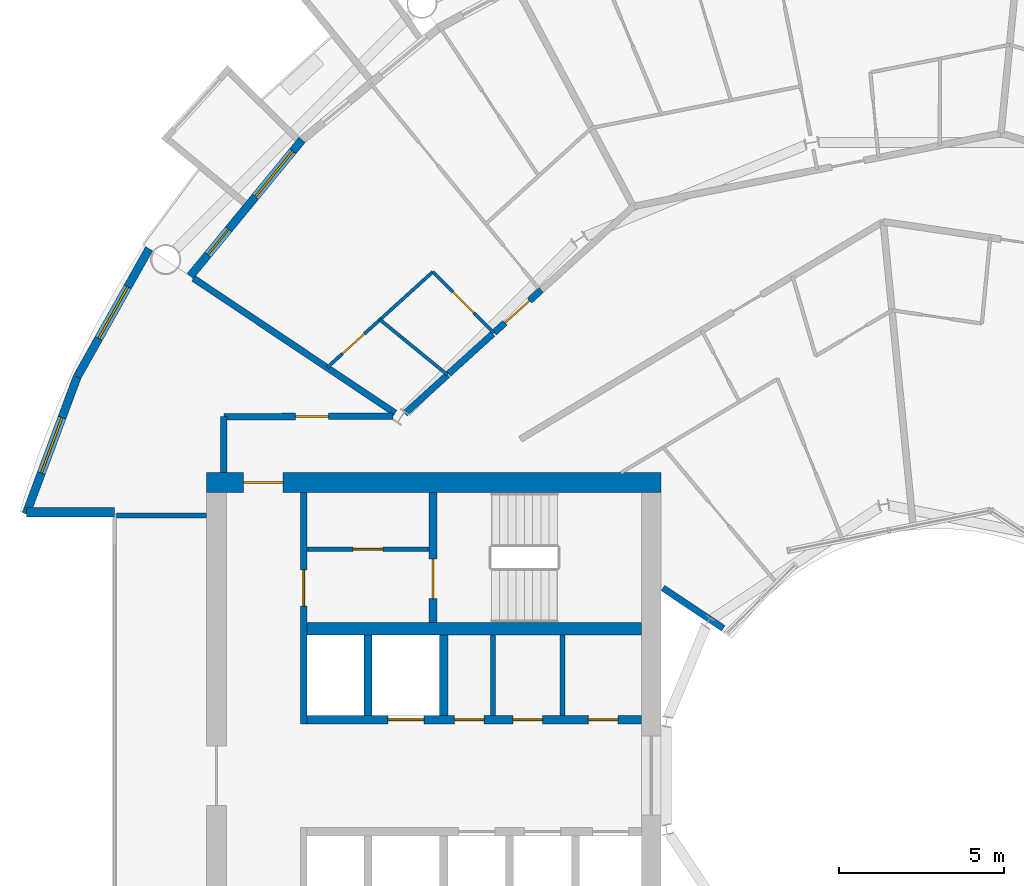
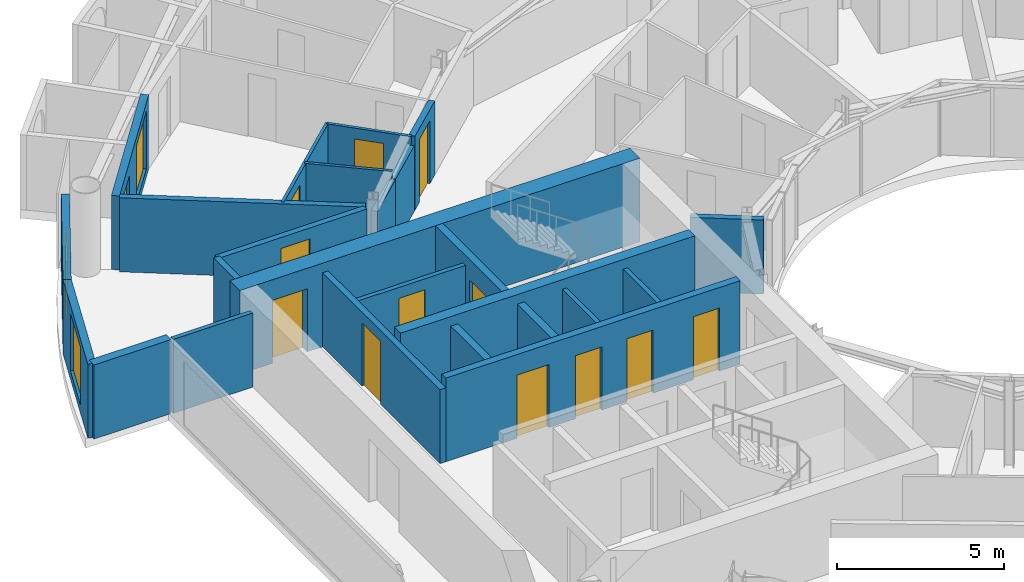
# One storey, part 19 of 28: 25 walls, 13 doors, 3 windows, 16 openings.
"""IFC4 building model written with IfcOpenShell, lengths in metres."""

from ifc_helpers import new_model, si_unit, direction, frame, frame_2d, origin, place, context, subcontext, project, spatial, rectangle, extrude, material, layer, layer_set, type_object, element, fill, save


model = new_model("IFC4")

# Units and contexts
model_context = context("Model", 3, precision=1e-05, world=origin(), true_north=direction((0.0, 1.0)))
body_context = subcontext(model_context, "Body", "Model", "MODEL_VIEW")
ifc_project = project(units=[si_unit("LENGTHUNIT", "METRE"), si_unit("AREAUNIT", "SQUARE_METRE"), si_unit("VOLUMEUNIT", "CUBIC_METRE"), si_unit("PLANEANGLEUNIT", "RADIAN"), si_unit("MASSUNIT", "GRAM", prefix="KILO")], contexts=[model_context])

# Site, building, storey
site_placement = place(None, origin())
site = spatial("IfcSite", under=ifc_project, at=site_placement, CompositionType="ELEMENT")
building_placement = place(site_placement, origin())
building = spatial("IfcBuilding", under=site, at=building_placement, Name="Maasbend Ring Residences", CompositionType="ELEMENT")
storey_placement = place(building_placement, frame((0.0, 0.0, 133.0)))
storey = spatial("IfcBuildingStorey", under=building, at=storey_placement, Name="L38", CompositionType="ELEMENT", Elevation=133.0)

# Wall, openings, doors
ifc_material_1 = material(Name="Concrete C60/75", Category="concrete")
ifc_layer_1 = layer(ifc_material_1, 0.25)
ifc_layer_set_1 = layer_set([ifc_layer_1], Name="Concrete C60/75")
wall_type_1 = type_object("IfcWallType", Name="CORE WALL 250 C60/75", PredefinedType="SHEAR", material=ifc_layer_set_1)
wall_1_placement = place(storey_placement, frame((-19.14990234375, 1.699951171875, 0.0), z_axis=(0.0, 0.0, 1.0), x_axis=(1.0, 0.0, 0.0)))
wall_1 = element("IfcWall", 1, at=wall_1_placement, inside=storey, type_object=wall_type_1, Name="L38 core W wall SPS", PredefinedType="SHEAR", context=body_context, shape_type="SweptSolid", body=[
    extrude(rectangle(XDim=10.14990234375, YDim=0.25, at=frame_2d((5.074951171875, 0.0))), origin(), (0.0, 0.0, 1.0), 3.050048828125),
])
opening_1_placement = place(wall_1_placement, frame((2.449951171875, 0.0, 0.0)))
opening_1 = element("IfcOpeningElement", 2, at=opening_1_placement, cuts=wall_1, Name="Opening LD-W3805", PredefinedType="OPENING", context=body_context, shape_type="SweptSolid", body=[
    extrude(rectangle(XDim=1.10009765625, YDim=2.300048828125, at=frame_2d((0.550048828125, 1.14990234375))), frame((0.0, 0.135009765625, 0.0), z_axis=(0.0, -1.0, 0.0), x_axis=(1.0, 0.0, 0.0)), (0.0, 0.0, 1.0), 0.27001953125),
])
opening_2_placement = place(wall_1_placement, frame((8.53759765625, 0.0, 0.0)))
opening_2 = element("IfcOpeningElement", 3, at=opening_2_placement, cuts=wall_1, Name="Opening D-W3806", PredefinedType="OPENING", context=body_context, shape_type="SweptSolid", body=[
    extrude(rectangle(XDim=0.89990234375, YDim=2.300048828125, at=frame_2d((0.449951171875, 1.14990234375))), frame((0.0, 0.135009765625, 0.0), z_axis=(0.0, -1.0, 0.0), x_axis=(1.0, 0.0, 0.0)), (0.0, 0.0, 1.0), 0.27001953125),
])
opening_3_placement = place(wall_1_placement, frame((6.25, 0.0, 0.0)))
opening_3 = element("IfcOpeningElement", 4, at=opening_3_placement, cuts=wall_1, Name="Opening D-W3807", PredefinedType="OPENING", context=body_context, shape_type="SweptSolid", body=[
    extrude(rectangle(XDim=0.89990234375, YDim=2.300048828125, at=frame_2d((0.449951171875, 1.14990234375))), frame((0.0, 0.135009765625, 0.0), z_axis=(0.0, -1.0, 0.0), x_axis=(1.0, 0.0, 0.0)), (0.0, 0.0, 1.0), 0.27001953125),
])
opening_4_placement = place(wall_1_placement, frame((4.47509765625, 0.0, 0.0)))
opening_4 = element("IfcOpeningElement", 5, at=opening_4_placement, cuts=wall_1, Name="Opening D-W3808", PredefinedType="OPENING", context=body_context, shape_type="SweptSolid", body=[
    extrude(rectangle(XDim=0.89990234375, YDim=2.300048828125, at=frame_2d((0.449951171875, 1.14990234375))), frame((0.0, 0.135009765625, 0.0), z_axis=(0.0, -1.0, 0.0), x_axis=(1.0, 0.0, 0.0)), (0.0, 0.0, 1.0), 0.27001953125),
])
ifc_material_2 = material(Name="Stainless steel 316", Category="steel")
door_type_1 = type_object("IfcDoorType", Name="LANDING DOOR 1100 X 2300 FD60", OperationType="DOUBLE_DOOR_SLIDING", PredefinedType="DOOR", material=ifc_material_2)
door_1_placement = place(opening_1_placement, origin())
door_1 = element("IfcDoor", 6, at=door_1_placement, inside=storey, type_object=door_type_1, Name="Landing door SV-W L38", OperationType="DOUBLE_DOOR_SLIDING", OverallHeight=2.300048828125, OverallWidth=1.10009765625, PredefinedType="DOOR", context=body_context, shape_type="SweptSolid", body=[
    extrude(rectangle(XDim=1.10009765625, YDim=2.300048828125, at=frame_2d((0.550048828125, 1.14990234375))), frame((0.0, 0.02490234375, 0.0), z_axis=(0.0, -1.0, 0.0), x_axis=(1.0, 0.0, 0.0)), (0.0, 0.0, 1.0), 0.050048828125),
])
fill(opening_1, door_1)
ifc_material_3 = material(Name="Steel, powder coated", Category="steel")
door_type_2 = type_object("IfcDoorType", Name="ROOM DOOR 900 X 2300 FD30S", OperationType="NOTDEFINED", PredefinedType="DOOR", material=ifc_material_3)
door_2_placement = place(opening_2_placement, origin())
door_2 = element("IfcDoor", 7, at=door_2_placement, inside=storey, type_object=door_type_2, Name="Room door L38", OperationType="SINGLE_SWING_LEFT", OverallHeight=2.300048828125, OverallWidth=0.89990234375, PredefinedType="DOOR", context=body_context, shape_type="SweptSolid", body=[
    extrude(rectangle(XDim=0.89990234375, YDim=2.300048828125, at=frame_2d((0.449951171875, 1.14990234375))), frame((0.0, 0.02490234375, 0.0), z_axis=(0.0, -1.0, 0.0), x_axis=(1.0, 0.0, 0.0)), (0.0, 0.0, 1.0), 0.050048828125),
])
fill(opening_2, door_2)
door_3_placement = place(opening_3_placement, origin())
door_3 = element("IfcDoor", 8, at=door_3_placement, inside=storey, type_object=door_type_2, Name="Room door L38", OperationType="SINGLE_SWING_LEFT", OverallHeight=2.300048828125, OverallWidth=0.89990234375, PredefinedType="DOOR", context=body_context, shape_type="SweptSolid", body=[
    extrude(rectangle(XDim=0.89990234375, YDim=2.300048828125, at=frame_2d((0.449951171875, 1.14990234375))), frame((0.0, 0.02490234375, 0.0), z_axis=(0.0, -1.0, 0.0), x_axis=(1.0, 0.0, 0.0)), (0.0, 0.0, 1.0), 0.050048828125),
])
fill(opening_3, door_3)
door_4_placement = place(opening_4_placement, origin())
door_4 = element("IfcDoor", 9, at=door_4_placement, inside=storey, type_object=door_type_2, Name="Room door L38", OperationType="SINGLE_SWING_RIGHT", OverallHeight=2.300048828125, OverallWidth=0.89990234375, PredefinedType="DOOR", context=body_context, shape_type="SweptSolid", body=[
    extrude(rectangle(XDim=0.89990234375, YDim=2.300048828125, at=frame_2d((0.449951171875, 1.14990234375))), frame((0.0, 0.02490234375, 0.0), z_axis=(0.0, -1.0, 0.0), x_axis=(1.0, 0.0, 0.0)), (0.0, 0.0, 1.0), 0.050048828125),
])
fill(opening_4, door_4)

# Wall, opening, door
wall_2_placement = place(storey_placement, frame((-15.324951171875, 8.60009765625, 0.0), z_axis=(0.0, 0.0, 1.0), x_axis=(0.0, -1.0, 0.0)))
wall_2 = element("IfcWall", 10, at=wall_2_placement, inside=storey, type_object=wall_type_1, Name="L38 core W wall STES", PredefinedType="SHEAR", context=body_context, shape_type="SweptSolid", body=[
    extrude(rectangle(XDim=3.9501953125, YDim=0.25, at=frame_2d((1.97509765625, 0.0))), origin(), (0.0, 0.0, 1.0), 3.050048828125),
])
opening_5_placement = place(wall_2_placement, frame((2.02490234375, 0.0, 0.0)))
opening_5 = element("IfcOpeningElement", 11, at=opening_5_placement, cuts=wall_2, Name="Opening D-W3811", PredefinedType="OPENING", context=body_context, shape_type="SweptSolid", body=[
    extrude(rectangle(XDim=1.199951171875, YDim=2.300048828125, at=frame_2d((0.60009765625, 1.14990234375))), frame((0.0, 0.135009765625, 0.0), z_axis=(0.0, -1.0, 0.0), x_axis=(1.0, 0.0, 0.0)), (0.0, 0.0, 1.0), 0.27001953125),
])
ifc_material_4 = material(Name="Steel, powder coated", Category="steel")
door_type_3 = type_object("IfcDoorType", Name="STAIR DOOR 1200 X 2300 FD60", OperationType="NOTDEFINED", PredefinedType="DOOR", material=ifc_material_4)
door_5_placement = place(opening_5_placement, origin())
door_5 = element("IfcDoor", 12, at=door_5_placement, inside=storey, type_object=door_type_3, Name="Stair door ST-W L38", OperationType="SINGLE_SWING_LEFT", OverallHeight=2.300048828125, OverallWidth=1.199951171875, PredefinedType="DOOR", context=body_context, shape_type="SweptSolid", body=[
    extrude(rectangle(XDim=1.199951171875, YDim=2.300048828125, at=frame_2d((0.60009765625, 1.14990234375))), frame((0.0, 0.02490234375, 0.0), z_axis=(0.0, -1.0, 0.0), x_axis=(1.0, 0.0, 0.0)), (0.0, 0.0, 1.0), 0.050048828125),
])
fill(opening_5, door_5)

# Wall
ifc_material_5 = material(Name="Concrete C60/75", Category="concrete")
ifc_layer_2 = layer(ifc_material_5, 0.375)
ifc_layer_set_2 = layer_set([ifc_layer_2], Name="Concrete C60/75")
wall_type_2 = type_object("IfcWallType", Name="CORE WALL 375 C60/75", PredefinedType="SHEAR", material=ifc_layer_set_2)
wall_3_placement = place(storey_placement, frame((-9.0, 4.46240234375, 0.0), z_axis=(0.0, 0.0, 1.0), x_axis=(-1.0, 0.0, 0.0)))
element("IfcWall", 13, at=wall_3_placement, inside=storey, type_object=wall_type_2, Name="L38 core W wall BS", PredefinedType="SHEAR", context=body_context, shape_type="SweptSolid", body=[
    extrude(rectangle(XDim=10.14990234375, YDim=0.375, at=frame_2d((5.074951171875, 0.0))), origin(), (0.0, 0.0, 1.0), 3.050048828125),
])

# Wall, opening, door
ifc_material_6 = material(Name="Concrete C60/75", Category="concrete")
ifc_layer_3 = layer(ifc_material_6, 0.60009765625)
ifc_layer_set_3 = layer_set([ifc_layer_3], Name="Concrete C60/75")
wall_type_3 = type_object("IfcWallType", Name="CORE WALL 600 C60/75", PredefinedType="SHEAR", material=ifc_layer_set_3)
wall_4_placement = place(storey_placement, frame((-8.39990234375, 8.89990234375, 0.0), z_axis=(0.0, 0.0, 1.0), x_axis=(-1.0, 0.0, 0.0)))
wall_4 = element("IfcWall", 14, at=wall_4_placement, inside=storey, type_object=wall_type_3, Name="L38 core W wall PS", PredefinedType="SHEAR", context=body_context, shape_type="SweptSolid", body=[
    extrude(rectangle(XDim=13.800048828125, YDim=0.60009765625, at=frame_2d((6.89990234375, 0.0))), origin(), (0.0, 0.0, 1.0), 3.050048828125),
])
opening_6_placement = place(wall_4_placement, frame((11.47509765625, 0.0, 0.0)))
opening_6 = element("IfcOpeningElement", 15, at=opening_6_placement, cuts=wall_4, Name="Opening D-W3815", PredefinedType="OPENING", context=body_context, shape_type="SweptSolid", body=[
    extrude(rectangle(XDim=1.199951171875, YDim=2.300048828125, at=frame_2d((0.60009765625, 1.14990234375))), frame((0.0, 0.31005859375, 0.0), z_axis=(0.0, -1.0, 0.0), x_axis=(1.0, 0.0, 0.0)), (0.0, 0.0, 1.0), 0.6201171875),
])
ifc_material_7 = material(Name="Steel, powder coated", Category="steel")
door_type_4 = type_object("IfcDoorType", Name="CORRIDOR DOOR 1200 X 2300 FD30S", OperationType="NOTDEFINED", PredefinedType="DOOR", material=ifc_material_7)
door_6_placement = place(opening_6_placement, origin())
door_6 = element("IfcDoor", 16, at=door_6_placement, inside=storey, type_object=door_type_4, Name="Corridor door L38", OperationType="SINGLE_SWING_LEFT", OverallHeight=2.300048828125, OverallWidth=1.199951171875, PredefinedType="DOOR", context=body_context, shape_type="SweptSolid", body=[
    extrude(rectangle(XDim=1.199951171875, YDim=2.300048828125, at=frame_2d((0.60009765625, 1.14990234375))), frame((0.0, 0.02490234375, 0.0), z_axis=(0.0, -1.0, 0.0), x_axis=(1.0, 0.0, 0.0)), (0.0, 0.0, 1.0), 0.050048828125),
])
fill(opening_6, door_6)

ifc_material_8 = material(Name="Concrete C30/37", Category="concrete")
ifc_layer_4 = layer(ifc_material_8, 0.199951171875)
ifc_layer_set_4 = layer_set([ifc_layer_4], Name="Concrete C30/37")
wall_type_4 = type_object("IfcWallType", Name="CORRIDOR WALL 200 CONCRETE", PredefinedType="PARTITIONING", material=ifc_layer_set_4)
wall_5_placement = place(storey_placement, frame((-21.675048828125, 10.89990234375, 0.0), z_axis=(0.0, 0.0, 1.0), x_axis=(0.99999670426, 0.002567385634, 0.0)))
wall_5 = element("IfcWall", 17, at=wall_5_placement, inside=storey, type_object=wall_type_4, Name="U-L38-w098", PredefinedType="PARTITIONING", context=body_context, shape_type="SweptSolid", body=[
    extrude(rectangle(XDim=5.135009765625, YDim=0.199951171875, at=frame_2d((2.5673828125, 0.0))), origin(), (0.0, 0.0, 1.0), 2.699951171875),
])
opening_7_placement = place(wall_5_placement, frame((2.1708984375, 0.0, 0.0)))
opening_7 = element("IfcOpeningElement", 18, at=opening_7_placement, cuts=wall_5, Name="Opening D-3872", PredefinedType="OPENING", context=body_context, shape_type="SweptSolid", body=[
    extrude(rectangle(XDim=1.0, YDim=2.300048828125, at=frame_2d((0.5, 1.14990234375))), frame((0.0, 0.10986328125, 0.0), z_axis=(0.0, -1.0, 0.0), x_axis=(1.0, 0.0, 0.0)), (0.0, 0.0, 1.0), 0.219970703125),
])
ifc_material_9 = material(Name="Timber, painted", Category="wood")
door_type_5 = type_object("IfcDoorType", Name="ROOM DOOR 1000 X 2300", OperationType="NOTDEFINED", PredefinedType="DOOR", material=ifc_material_9)
door_7_placement = place(opening_7_placement, origin())
door_7 = element("IfcDoor", 19, at=door_7_placement, inside=storey, type_object=door_type_5, Name="D-3872", OperationType="SINGLE_SWING_RIGHT", OverallHeight=2.300048828125, OverallWidth=1.0, PredefinedType="DOOR", context=body_context, shape_type="SweptSolid", body=[
    extrude(rectangle(XDim=1.0, YDim=2.300048828125, at=frame_2d((0.5, 1.14990234375))), frame((0.0, 0.02490234375, 0.0), z_axis=(0.0, -1.0, 0.0), x_axis=(1.0, 0.0, 0.0)), (0.0, 0.0, 1.0), 0.050048828125),
])
fill(opening_7, door_7)

# Walls
wall_6_placement = place(storey_placement, frame((-16.178955078125, 10.9951171875, 0.0), z_axis=(0.0, 0.0, 1.0), x_axis=(0.74092608219, 0.671586584687, 0.0)))
element("IfcWall", 20, at=wall_6_placement, inside=storey, type_object=wall_type_4, Name="U-L38-w110", PredefinedType="PARTITIONING", context=body_context, shape_type="SweptSolid", body=[
    extrude(rectangle(XDim=1.746337890625, YDim=0.199951171875, at=frame_2d((0.873046875, 0.0))), origin(), (0.0, 0.0, 1.0), 2.389892578125),
])
wall_7_placement = place(storey_placement, frame((-14.85498046875, 12.200927734375, 0.0), z_axis=(0.0, 0.0, 1.0), x_axis=(0.742026993487, 0.670370003011, 0.0)))
element("IfcWall", 21, at=wall_7_placement, inside=storey, type_object=wall_type_4, Name="U-L38-w111", PredefinedType="PARTITIONING", context=body_context, shape_type="SweptSolid", body=[
    extrude(rectangle(XDim=1.8125, YDim=0.199951171875, at=frame_2d((0.90625, 0.0))), origin(), (0.0, 0.0, 1.0), 2.389892578125),
])

# Wall, opening, door
wall_8_placement = place(storey_placement, frame((-13.47412109375, 13.447998046875, 0.0), z_axis=(0.0, 0.0, 1.0), x_axis=(0.742096578776, 0.670292971595, 0.0)))
wall_8 = element("IfcWall", 22, at=wall_8_placement, inside=storey, type_object=wall_type_4, Name="U-L38-w112", PredefinedType="PARTITIONING", context=body_context, shape_type="SweptSolid", body=[
    extrude(rectangle(XDim=1.93798828125, YDim=0.199951171875, at=frame_2d((0.968994140625, 0.0))), origin(), (0.0, 0.0, 1.0), 2.699951171875),
])
opening_8_placement = place(wall_8_placement, frame((0.452880859375, 0.0, 0.0)))
opening_8 = element("IfcOpeningElement", 23, at=opening_8_placement, cuts=wall_8, Name="Opening D-3818", PredefinedType="OPENING", context=body_context, shape_type="SweptSolid", body=[
    extrude(rectangle(XDim=1.0, YDim=2.300048828125, at=frame_2d((0.5, 1.14990234375))), frame((0.0, 0.10986328125, 0.0), z_axis=(0.0, -1.0, 0.0), x_axis=(1.0, 0.0, 0.0)), (0.0, 0.0, 1.0), 0.219970703125),
])
ifc_material_10 = material(Name="Timber, fire-rated, painted", Category="wood")
door_type_6 = type_object("IfcDoorType", Name="FLAT ENTRANCE DOOR 1000 X 2300 FIRE-RATED", OperationType="NOTDEFINED", PredefinedType="DOOR", material=ifc_material_10)
door_8_placement = place(opening_8_placement, origin())
door_8 = element("IfcDoor", 24, at=door_8_placement, inside=storey, type_object=door_type_6, Name="D-3818", OperationType="SINGLE_SWING_LEFT", OverallHeight=2.300048828125, OverallWidth=1.0, PredefinedType="DOOR", context=body_context, shape_type="SweptSolid", body=[
    extrude(rectangle(XDim=1.0, YDim=2.300048828125, at=frame_2d((0.5, 1.14990234375))), frame((0.0, 0.02490234375, 0.0), z_axis=(0.0, -1.0, 0.0), x_axis=(1.0, 0.0, 0.0)), (0.0, 0.0, 1.0), 0.050048828125),
])
fill(opening_8, door_8)

# Wall
wall_9_placement = place(storey_placement, frame((-21.675048828125, 9.199951171875, 0.0), z_axis=(0.0, 0.0, 1.0), x_axis=(0.0, 1.0, 0.0)))
element("IfcWall", 25, at=wall_9_placement, inside=storey, type_object=wall_type_4, Name="U-L38-w124", PredefinedType="PARTITIONING", context=body_context, shape_type="SweptSolid", body=[
    extrude(rectangle(XDim=1.699951171875, YDim=0.199951171875, at=frame_2d((0.85009765625, 0.0))), origin(), (0.0, 0.0, 1.0), 2.699951171875),
])

# Wall, openings, door, window
ifc_material_11 = material(Name="Aluminium clad insulated panel", Category="aluminium")
ifc_layer_5 = layer(ifc_material_11, 0.25)
ifc_layer_set_5 = layer_set([ifc_layer_5], Name="EW-GL")
wall_type_5 = type_object("IfcWallType", Name="EW-GL", PredefinedType="SOLIDWALL", material=ifc_layer_set_5)
wall_10_placement = place(storey_placement, frame((-19.303955078125, 19.303955078125, 0.0), z_axis=(0.0, 0.0, 1.0), x_axis=(-0.634382322723, -0.773019449054, 0.0)))
wall_10 = element("IfcWall", 26, at=wall_10_placement, inside=storey, type_object=wall_type_5, Name="External wall N10", PredefinedType="SOLIDWALL", context=body_context, shape_type="SweptSolid", body=[
    extrude(rectangle(XDim=5.351806640625, YDim=0.25, at=frame_2d((2.67578125, 0.0))), origin(), (0.0, 0.0, 1.0), 2.699951171875),
])
opening_9_placement = place(wall_10_placement, frame((0.441162109375, 0.0, 0.300048828125)))
opening_9 = element("IfcOpeningElement", 27, at=opening_9_placement, cuts=wall_10, Name="Opening W-BX", PredefinedType="OPENING", context=body_context, shape_type="SweptSolid", body=[
    extrude(rectangle(XDim=1.800048828125, YDim=2.10009765625, at=frame_2d((0.89990234375, 1.050048828125))), frame((0.0, 0.135009765625, 0.0), z_axis=(0.0, -1.0, 0.0), x_axis=(1.0, 0.0, 0.0)), (0.0, 0.0, 1.0), 0.27001953125),
])
opening_10_placement = place(wall_10_placement, frame((3.510498046875, 0.0, 0.0)))
opening_10 = element("IfcOpeningElement", 28, at=opening_10_placement, cuts=wall_10, Name="Opening D-LG", PredefinedType="OPENING", context=body_context, shape_type="SweptSolid", body=[
    extrude(rectangle(XDim=1.0, YDim=2.199951171875, at=frame_2d((0.5, 1.10009765625))), frame((0.0, 0.135009765625, 0.0), z_axis=(0.0, -1.0, 0.0), x_axis=(1.0, 0.0, 0.0)), (0.0, 0.0, 1.0), 0.27001953125),
])
ifc_material_12 = material(Name="Aluminium and clear glass", Category="aluminium")
door_type_7 = type_object("IfcDoorType", Name="D-LG", OperationType="SINGLE_SWING_LEFT", PredefinedType="DOOR", material=ifc_material_12)
door_9_placement = place(opening_10_placement, origin())
door_9 = element("IfcDoor", 29, at=door_9_placement, inside=storey, type_object=door_type_7, Name="Loggia door N20", OperationType="SINGLE_SWING_LEFT", OverallHeight=2.199951171875, OverallWidth=1.0, PredefinedType="DOOR", context=body_context, shape_type="SweptSolid", body=[
    extrude(rectangle(XDim=1.0, YDim=2.199951171875, at=frame_2d((0.5, 1.10009765625))), frame((0.0, 0.02490234375, 0.0), z_axis=(0.0, -1.0, 0.0), x_axis=(1.0, 0.0, 0.0)), (0.0, 0.0, 1.0), 0.050048828125),
])
fill(opening_10, door_9)
ifc_material_13 = material(Name="Aluminium and clear glass", Category="aluminium")
window_type = type_object("IfcWindowType", Name="W-BX", PartitioningType="DOUBLE_PANEL_VERTICAL", PredefinedType="WINDOW", material=ifc_material_13)
window_1_placement = place(opening_9_placement, origin())
window_1 = element("IfcWindow", 30, at=window_1_placement, inside=storey, type_object=window_type, Name="Window N19 room to box", OverallHeight=2.10009765625, OverallWidth=1.800048828125, PartitioningType="SINGLE_PANEL", PredefinedType="WINDOW", context=body_context, shape_type="SweptSolid", body=[
    extrude(rectangle(XDim=1.800048828125, YDim=2.10009765625, at=frame_2d((0.89990234375, 1.050048828125))), frame((0.0, 0.030029296875, 0.0), z_axis=(0.0, -1.0, 0.0), x_axis=(1.0, 0.0, 0.0)), (0.0, 0.0, 1.0), 0.06005859375),
])
fill(opening_9, window_1)

# Wall, opening, window
ifc_material_14 = material(Name="Aluminium clad insulated panel", Category="aluminium")
ifc_layer_6 = layer(ifc_material_14, 0.25)
ifc_layer_set_6 = layer_set([ifc_layer_6], Name="EW-HORN")
wall_type_6 = type_object("IfcWallType", Name="EW-HORN", PredefinedType="SOLIDWALL", material=ifc_layer_set_6)
wall_11_placement = place(storey_placement, frame((-23.946044921875, 16.0, 0.0), z_axis=(0.0, 0.0, 1.0), x_axis=(-0.489696356642, -0.871893042919, 0.0)))
wall_11 = element("IfcWall", 31, at=wall_11_placement, inside=storey, type_object=wall_type_6, Name="Horn wall 4.1", PredefinedType="SOLIDWALL", context=body_context, shape_type="SweptSolid", body=[
    extrude(rectangle(XDim=4.45361328125, YDim=0.25, at=frame_2d((2.226806640625, 0.0))), origin(), (0.0, 0.0, 1.0), 2.699951171875),
])
opening_11_placement = place(wall_11_placement, frame((1.32666015625, 0.0, 0.300048828125)))
opening_11 = element("IfcOpeningElement", 32, at=opening_11_placement, cuts=wall_11, Name="Opening W-BX", PredefinedType="OPENING", context=body_context, shape_type="SweptSolid", body=[
    extrude(rectangle(XDim=1.800048828125, YDim=2.10009765625, at=frame_2d((0.89990234375, 1.050048828125))), frame((0.0, 0.135009765625, 0.0), z_axis=(0.0, -1.0, 0.0), x_axis=(1.0, 0.0, 0.0)), (0.0, 0.0, 1.0), 0.27001953125),
])
window_2_placement = place(opening_11_placement, origin())
window_2 = element("IfcWindow", 33, at=window_2_placement, inside=storey, type_object=window_type, Name="Horn window 4.1", OverallHeight=2.10009765625, OverallWidth=1.800048828125, PartitioningType="SINGLE_PANEL", PredefinedType="WINDOW", context=body_context, shape_type="SweptSolid", body=[
    extrude(rectangle(XDim=1.800048828125, YDim=2.10009765625, at=frame_2d((0.89990234375, 1.050048828125))), frame((0.0, 0.030029296875, 0.0), z_axis=(0.0, -1.0, 0.0), x_axis=(1.0, 0.0, 0.0)), (0.0, 0.0, 1.0), 0.06005859375),
])
fill(opening_11, window_2)

wall_12_placement = place(storey_placement, frame((-26.126953125, 12.116943359375, 0.0), z_axis=(0.0, 0.0, 1.0), x_axis=(-0.349247811493, -0.937030397675, 0.0)))
wall_12 = element("IfcWall", 34, at=wall_12_placement, inside=storey, type_object=wall_type_6, Name="Horn wall 4.2", PredefinedType="SOLIDWALL", context=body_context, shape_type="SweptSolid", body=[
    extrude(rectangle(XDim=4.4521484375, YDim=0.25, at=frame_2d((2.22607421875, 0.0))), origin(), (0.0, 0.0, 1.0), 2.699951171875),
])
opening_12_placement = place(wall_12_placement, frame((1.32666015625, 0.0, 0.300048828125)))
opening_12 = element("IfcOpeningElement", 35, at=opening_12_placement, cuts=wall_12, Name="Opening W-BX", PredefinedType="OPENING", context=body_context, shape_type="SweptSolid", body=[
    extrude(rectangle(XDim=1.800048828125, YDim=2.10009765625, at=frame_2d((0.89990234375, 1.050048828125))), frame((0.0, 0.135009765625, 0.0), z_axis=(0.0, -1.0, 0.0), x_axis=(1.0, 0.0, 0.0)), (0.0, 0.0, 1.0), 0.27001953125),
])
window_3_placement = place(opening_12_placement, origin())
window_3 = element("IfcWindow", 36, at=window_3_placement, inside=storey, type_object=window_type, Name="Horn window 4.2", OverallHeight=2.10009765625, OverallWidth=1.800048828125, PartitioningType="SINGLE_PANEL", PredefinedType="WINDOW", context=body_context, shape_type="SweptSolid", body=[
    extrude(rectangle(XDim=1.800048828125, YDim=2.10009765625, at=frame_2d((0.89990234375, 1.050048828125))), frame((0.0, 0.030029296875, 0.0), z_axis=(0.0, -1.0, 0.0), x_axis=(1.0, 0.0, 0.0)), (0.0, 0.0, 1.0), 0.06005859375),
])
fill(opening_12, window_3)

# Walls
ifc_material_15 = material(Name="Aluminium clad insulated panel", Category="aluminium")
ifc_layer_7 = layer(ifc_material_15, 0.300048828125)
ifc_layer_set_7 = layer_set([ifc_layer_7], Name="EW-RET")
wall_type_7 = type_object("IfcWallType", Name="EW-RET", PredefinedType="SOLIDWALL", material=ifc_layer_set_7)
wall_13_placement = place(storey_placement, frame((-25.0, 8.0, 0.0), z_axis=(0.0, 0.0, 1.0), x_axis=(-1.0, 0.0, 0.0)))
element("IfcWall", 37, at=wall_13_placement, inside=storey, type_object=wall_type_7, Name="Notch return wall west north", PredefinedType="SOLIDWALL", context=body_context, shape_type="SweptSolid", body=[
    extrude(rectangle(XDim=2.6669921875, YDim=0.300048828125, at=frame_2d((1.33349609375, 0.0))), origin(), (0.0, 0.0, 1.0), 2.699951171875),
])
ifc_material_16 = material(Name="Gypsum board on steel studs", Category="steel")
ifc_layer_8 = layer(ifc_material_16, 0.10009765625)
ifc_layer_set_8 = layer_set([ifc_layer_8], Name="PARTITION 100 GYPSUM")
wall_type_8 = type_object("IfcWallType", Name="PARTITION 100 GYPSUM", PredefinedType="PARTITIONING", material=ifc_layer_set_8)
wall_14_placement = place(storey_placement, frame((-16.93603515625, 13.844970703125, 0.0), z_axis=(0.0, 0.0, 1.0), x_axis=(0.774162545943, -0.632986850147, 0.0)))
element("IfcWall", 38, at=wall_14_placement, inside=storey, type_object=wall_type_8, Name="U-L38-w033", PredefinedType="PARTITIONING", context=body_context, shape_type="SweptSolid", body=[
    extrude(rectangle(XDim=2.6494140625, YDim=0.10009765625, at=frame_2d((1.32470703125, 0.0))), origin(), (0.0, 0.0, 1.0), 2.699951171875),
])

# Wall, opening, door
wall_15_placement = place(storey_placement, frame((-15.3330078125, 15.297119140625, 0.0), z_axis=(0.0, 0.0, 1.0), x_axis=(0.707851299421, -0.706361478217, 0.0)))
wall_15 = element("IfcWall", 39, at=wall_15_placement, inside=storey, type_object=wall_type_8, Name="U-L38-w035", PredefinedType="PARTITIONING", context=body_context, shape_type="SweptSolid", body=[
    extrude(rectangle(XDim=2.6220703125, YDim=0.10009765625, at=frame_2d((1.31103515625, 0.0))), origin(), (0.0, 0.0, 1.0), 2.699951171875),
])
opening_13_placement = place(wall_15_placement, frame((0.861083984375, 0.0, 0.0)))
opening_13 = element("IfcOpeningElement", 40, at=opening_13_placement, cuts=wall_15, Name="Opening D-3820", PredefinedType="OPENING", context=body_context, shape_type="SweptSolid", body=[
    extrude(rectangle(XDim=0.89990234375, YDim=2.300048828125, at=frame_2d((0.449951171875, 1.14990234375))), frame((0.0, 0.06005859375, 0.0), z_axis=(0.0, -1.0, 0.0), x_axis=(1.0, 0.0, 0.0)), (0.0, 0.0, 1.0), 0.1201171875),
])
ifc_material_17 = material(Name="Timber, painted", Category="wood")
door_type_8 = type_object("IfcDoorType", Name="INTERNAL DOOR 900 X 2300", OperationType="NOTDEFINED", PredefinedType="DOOR", material=ifc_material_17)
door_10_placement = place(opening_13_placement, origin())
door_10 = element("IfcDoor", 41, at=door_10_placement, inside=storey, type_object=door_type_8, Name="D-3820", OperationType="SINGLE_SWING_RIGHT", OverallHeight=2.300048828125, OverallWidth=0.89990234375, PredefinedType="DOOR", context=body_context, shape_type="SweptSolid", body=[
    extrude(rectangle(XDim=0.89990234375, YDim=2.300048828125, at=frame_2d((0.449951171875, 1.14990234375))), frame((0.0, 0.02490234375, 0.0), z_axis=(0.0, -1.0, 0.0), x_axis=(1.0, 0.0, 0.0)), (0.0, 0.0, 1.0), 0.050048828125),
])
fill(opening_13, door_10)

wall_16_placement = place(storey_placement, frame((-18.5400390625, 12.39208984375, 0.0), z_axis=(0.0, 0.0, 1.0), x_axis=(0.741109646243, 0.671384012504, 0.0)))
wall_16 = element("IfcWall", 42, at=wall_16_placement, inside=storey, type_object=wall_type_8, Name="U-L38-w119", PredefinedType="PARTITIONING", context=body_context, shape_type="SweptSolid", body=[
    extrude(rectangle(XDim=4.331298828125, YDim=0.10009765625, at=frame_2d((2.16552734375, 0.0))), origin(), (0.0, 0.0, 1.0), 2.699951171875),
])
opening_14_placement = place(wall_16_placement, frame((0.62890625, 0.0, 0.0)))
opening_14 = element("IfcOpeningElement", 43, at=opening_14_placement, cuts=wall_16, Name="Opening D-3819", PredefinedType="OPENING", context=body_context, shape_type="SweptSolid", body=[
    extrude(rectangle(XDim=0.89990234375, YDim=2.300048828125, at=frame_2d((0.449951171875, 1.14990234375))), frame((0.0, 0.06005859375, 0.0), z_axis=(0.0, -1.0, 0.0), x_axis=(1.0, 0.0, 0.0)), (0.0, 0.0, 1.0), 0.1201171875),
])
door_11_placement = place(opening_14_placement, origin())
door_11 = element("IfcDoor", 44, at=door_11_placement, inside=storey, type_object=door_type_8, Name="D-3819", OperationType="SINGLE_SWING_LEFT", OverallHeight=2.300048828125, OverallWidth=0.89990234375, PredefinedType="DOOR", context=body_context, shape_type="SweptSolid", body=[
    extrude(rectangle(XDim=0.89990234375, YDim=2.300048828125, at=frame_2d((0.449951171875, 1.14990234375))), frame((0.0, 0.02490234375, 0.0), z_axis=(0.0, -1.0, 0.0), x_axis=(1.0, 0.0, 0.0)), (0.0, 0.0, 1.0), 0.050048828125),
])
fill(opening_14, door_11)

# Walls
ifc_material_18 = material(Name="Gypsum board on steel studs", Category="steel")
ifc_layer_9 = layer(ifc_material_18, 0.14990234375)
ifc_layer_set_9 = layer_set([ifc_layer_9], Name="PARTITION 150 EI 60")
wall_type_9 = type_object("IfcWallType", Name="PARTITION 150 EI 60", PredefinedType="PARTITIONING", material=ifc_layer_set_9)
for number, where, z_axis, x_axis, name in (
    (45, (-11.39990234375, 1.824951171875, 0.0), (0.0, 0.0, 1.0), (0.0, 1.0, 0.0), "L38 core W wall PRS1140"),
    (46, (-13.5, 1.824951171875, 0.0), (0.0, 0.0, 1.0), (0.0, 1.0, 0.0), "L38 core W wall PRS1350"),
):
    element("IfcWall", number, at=place(storey_placement, frame(where, z_axis=z_axis, x_axis=x_axis)), inside=storey, type_object=wall_type_9, Name=name, PredefinedType="PARTITIONING", context=body_context, shape_type="SweptSolid", body=[
        extrude(rectangle(XDim=2.449951171875, YDim=0.14990234375, at=frame_2d((1.22509765625, 0.0))), origin(), (0.0, 0.0, 1.0), 2.699951171875),
    ])

# Wall, opening, door
wall_17_placement = place(storey_placement, frame((-15.449951171875, 6.875, 0.0), z_axis=(0.0, 0.0, 1.0), x_axis=(-1.0, 0.0, 0.0)))
wall_17 = element("IfcWall", 47, at=wall_17_placement, inside=storey, type_object=wall_type_9, Name="L38 core W wall RHS", PredefinedType="PARTITIONING", context=body_context, shape_type="SweptSolid", body=[
    extrude(rectangle(XDim=3.699951171875, YDim=0.14990234375, at=frame_2d((1.85009765625, 0.0))), origin(), (0.0, 0.0, 1.0), 2.699951171875),
])
opening_15_placement = place(wall_17_placement, frame((1.39990234375, 0.0, 0.0)))
opening_15 = element("IfcOpeningElement", 48, at=opening_15_placement, cuts=wall_17, Name="Opening D-W3809", PredefinedType="OPENING", context=body_context, shape_type="SweptSolid", body=[
    extrude(rectangle(XDim=0.89990234375, YDim=2.300048828125, at=frame_2d((0.449951171875, 1.14990234375))), frame((0.0, 0.0849609375, 0.0), z_axis=(0.0, -1.0, 0.0), x_axis=(1.0, 0.0, 0.0)), (0.0, 0.0, 1.0), 0.169921875),
])
ifc_material_19 = material(Name="Steel, powder coated", Category="steel")
door_type_9 = type_object("IfcDoorType", Name="RISER DOOR 900 X 2300 FD60", OperationType="NOTDEFINED", PredefinedType="DOOR", material=ifc_material_19)
door_12_placement = place(opening_15_placement, origin())
door_12 = element("IfcDoor", 49, at=door_12_placement, inside=storey, type_object=door_type_9, Name="Riser door L38", OperationType="SINGLE_SWING_LEFT", OverallHeight=2.300048828125, OverallWidth=0.89990234375, PredefinedType="DOOR", context=body_context, shape_type="SweptSolid", body=[
    extrude(rectangle(XDim=0.89990234375, YDim=2.300048828125, at=frame_2d((0.449951171875, 1.14990234375))), frame((0.0, 0.02490234375, 0.0), z_axis=(0.0, -1.0, 0.0), x_axis=(1.0, 0.0, 0.0)), (0.0, 0.0, 1.0), 0.050048828125),
])
fill(opening_15, door_12)

# Walls
wall_18_placement = place(storey_placement, frame((-22.199951171875, 7.89990234375, 0.0), z_axis=(0.0, 0.0, 1.0), x_axis=(-1.0, 0.0, 0.0)))
element("IfcWall", 50, at=wall_18_placement, inside=storey, type_object=wall_type_9, Name="L38 core W wall CITS", PredefinedType="PARTITIONING", context=body_context, shape_type="SweptSolid", body=[
    extrude(rectangle(XDim=2.739990234375, YDim=0.14990234375, at=frame_2d((1.3701171875, 0.0))), origin(), (0.0, 0.0, 1.0), 2.699951171875),
])
ifc_material_20 = material(Name="Concrete C30/37", Category="concrete")
ifc_layer_10 = layer(ifc_material_20, 0.199951171875)
ifc_layer_set_10 = layer_set([ifc_layer_10], Name="Concrete C30/37")
wall_type_10 = type_object("IfcWallType", Name="PARTY WALL 200 CONCRETE", PredefinedType="PARTITIONING", material=ifc_layer_set_10)
wall_19_placement = place(storey_placement, frame((-22.594970703125, 15.097900390625, 0.0), z_axis=(0.0, 0.0, 1.0), x_axis=(0.831406593008, -0.555664536482, 0.0)))
element("IfcWall", 51, at=wall_19_placement, inside=storey, type_object=wall_type_10, Name="U-L38-w030", PredefinedType="PARTITIONING", context=body_context, shape_type="SweptSolid", body=[
    extrude(rectangle(XDim=7.3583984375, YDim=0.199951171875, at=frame_2d((3.67919921875, 0.0))), origin(), (0.0, 0.0, 1.0), 2.699951171875),
])
wall_20_placement = place(storey_placement, frame((-6.512939453125, 4.471923828125, 0.0), z_axis=(0.0, 0.0, 1.0), x_axis=(-0.831333375071, 0.555774072347, 0.0)))
element("IfcWall", 52, at=wall_20_placement, inside=storey, type_object=wall_type_10, Name="U-L38-w096", PredefinedType="PARTITIONING", context=body_context, shape_type="SweptSolid", body=[
    extrude(rectangle(XDim=2.20263671875, YDim=0.199951171875, at=frame_2d((1.101318359375, 0.0))), origin(), (0.0, 0.0, 1.0), 2.699951171875),
])

# Wall, opening, door
ifc_material_21 = material(Name="Concrete C30/37", Category="concrete")
ifc_layer_11 = layer(ifc_material_21, 0.199951171875)
ifc_layer_set_11 = layer_set([ifc_layer_11], Name="Concrete C30/37")
wall_type_11 = type_object("IfcWallType", Name="SHAFT WALL 200 EI 120", PredefinedType="SOLIDWALL", material=ifc_layer_set_11)
wall_21_placement = place(storey_placement, frame((-19.25, 8.60009765625, 0.0), z_axis=(0.0, 0.0, 1.0), x_axis=(0.0, -1.0, 0.0)))
wall_21 = element("IfcWall", 53, at=wall_21_placement, inside=storey, type_object=wall_type_11, Name="L38 core W wall ENDS", PredefinedType="SOLIDWALL", context=body_context, shape_type="SweptSolid", body=[
    extrude(rectangle(XDim=7.025146484375, YDim=0.199951171875, at=frame_2d((3.5126953125, 0.0))), origin(), (0.0, 0.0, 1.0), 2.699951171875),
])
opening_16_placement = place(wall_21_placement, frame((2.35009765625, 0.0, 0.0)))
opening_16 = element("IfcOpeningElement", 54, at=opening_16_placement, cuts=wall_21, Name="Opening D-W3813", PredefinedType="OPENING", context=body_context, shape_type="SweptSolid", body=[
    extrude(rectangle(XDim=1.10009765625, YDim=2.300048828125, at=frame_2d((0.550048828125, 1.14990234375))), frame((0.0, 0.10986328125, 0.0), z_axis=(0.0, -1.0, 0.0), x_axis=(1.0, 0.0, 0.0)), (0.0, 0.0, 1.0), 0.219970703125),
])
ifc_material_22 = material(Name="Steel, powder coated", Category="steel")
door_type_10 = type_object("IfcDoorType", Name="LOBBY DOOR 1100 X 2300 FD60", OperationType="NOTDEFINED", PredefinedType="DOOR", material=ifc_material_22)
door_13_placement = place(opening_16_placement, origin())
door_13 = element("IfcDoor", 55, at=door_13_placement, inside=storey, type_object=door_type_10, Name="Lobby door L38", OperationType="SINGLE_SWING_RIGHT", OverallHeight=2.300048828125, OverallWidth=1.10009765625, PredefinedType="DOOR", context=body_context, shape_type="SweptSolid", body=[
    extrude(rectangle(XDim=1.10009765625, YDim=2.300048828125, at=frame_2d((0.550048828125, 1.14990234375))), frame((0.0, 0.02490234375, 0.0), z_axis=(0.0, -1.0, 0.0), x_axis=(1.0, 0.0, 0.0)), (0.0, 0.0, 1.0), 0.050048828125),
])
fill(opening_16, door_13)

# Walls
ifc_material_23 = material(Name="Concrete C30/37", Category="concrete")
ifc_layer_12 = layer(ifc_material_23, 0.25)
ifc_layer_set_12 = layer_set([ifc_layer_12], Name="Concrete C30/37")
wall_type_12 = type_object("IfcWallType", Name="SHAFT WALL 250 EI 120", PredefinedType="SOLIDWALL", material=ifc_layer_set_12)
for number, where, z_axis, x_axis, name in (
    (56, (-15.0, 1.824951171875, 0.0), (0.0, 0.0, 1.0), (0.0, 1.0, 0.0), "L38 core W wall D150S"),
    (57, (-17.300048828125, 1.824951171875, 0.0), (0.0, 0.0, 1.0), (0.0, 1.0, 0.0), "L38 core W wall D173S"),
):
    element("IfcWall", number, at=place(storey_placement, frame(where, z_axis=z_axis, x_axis=x_axis)), inside=storey, type_object=wall_type_12, Name=name, PredefinedType="SOLIDWALL", context=body_context, shape_type="SweptSolid", body=[
        extrude(rectangle(XDim=2.449951171875, YDim=0.25, at=frame_2d((1.22509765625, 0.0))), origin(), (0.0, 0.0, 1.0), 2.699951171875),
    ])

save(model, "model.ifc")
